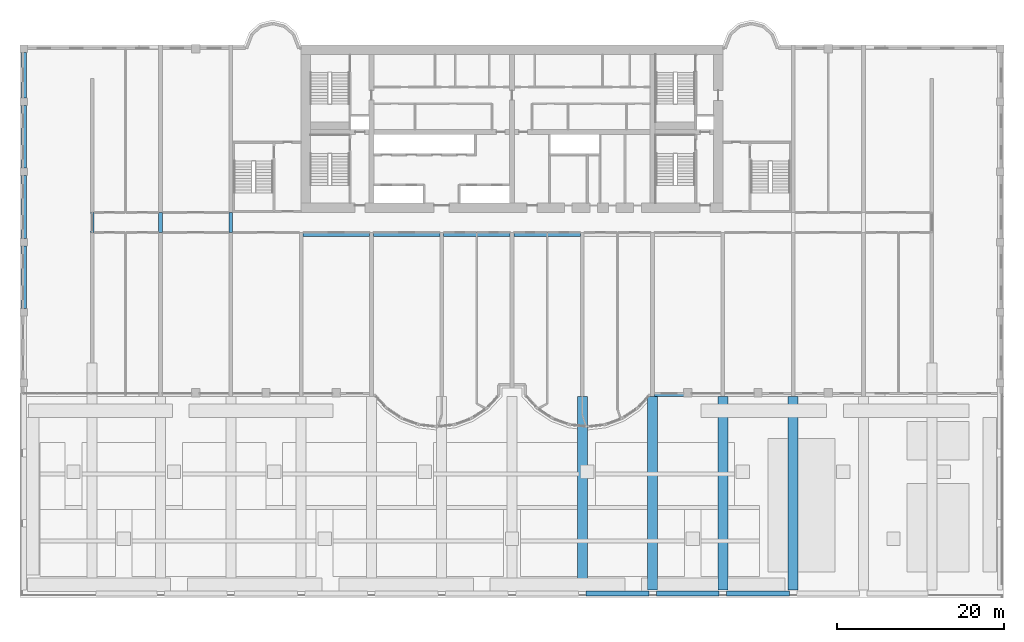
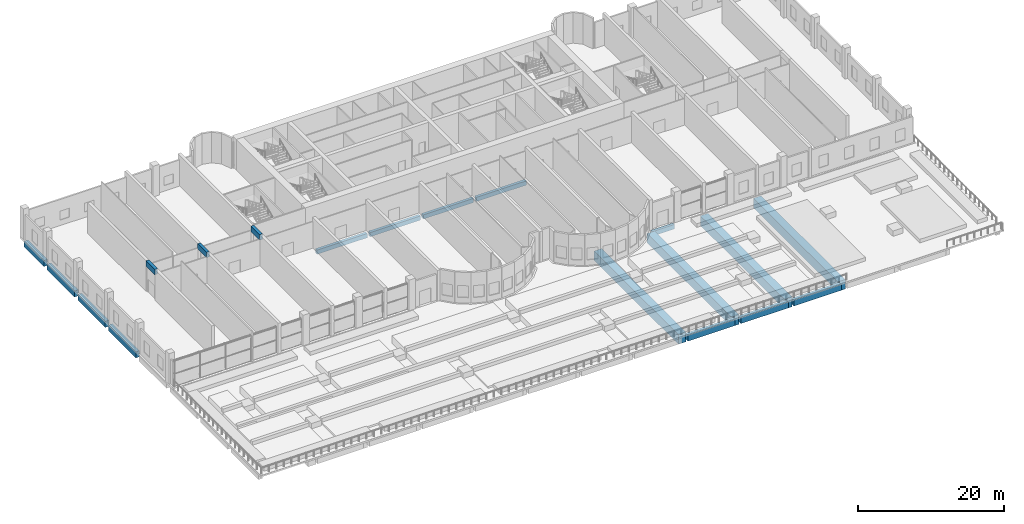
# One storey, part 5 of 20: 19 beams.
"""IFC4 building model written with IfcOpenShell, lengths in metres."""

from ifc_helpers import new_model, si_unit, direction, frame, origin, origin_2d, place, context, subcontext, project, spatial, rectangle, extrude, source, transform, mapped, material, material_profile, profile_set, type_object, element, save


model = new_model("IFC4")

# Units and contexts
model_context = context("Model", 3, precision=1e-05, world=origin(), true_north=direction((0.0, 1.0)))
body_context = subcontext(model_context, "Body", "Model", "MODEL_VIEW")
ifc_project = project(units=[si_unit("LENGTHUNIT", "METRE"), si_unit("AREAUNIT", "SQUARE_METRE"), si_unit("VOLUMEUNIT", "CUBIC_METRE"), si_unit("PLANEANGLEUNIT", "RADIAN"), si_unit("MASSUNIT", "GRAM", prefix="KILO")], contexts=[model_context])

# Site, building, storey
site_placement = place(None, origin())
site = spatial("IfcSite", under=ifc_project, at=site_placement, CompositionType="ELEMENT")
building_placement = place(site_placement, origin())
building = spatial("IfcBuilding", under=site, at=building_placement, Name="Vanashikhar Sky Hotel", CompositionType="ELEMENT")
storey_placement = place(building_placement, frame((0.0, 0.0, 6.0)))
storey = spatial("IfcBuildingStorey", under=building, at=storey_placement, Name="L01", CompositionType="ELEMENT", Elevation=6.0)

# Beams
ifc_material = material(Name="Concrete M50", Category="concrete")
ifc_material_profile_1 = material_profile(ifc_material, rectangle(XDim=0.449951171875, YDim=0.89990234375, at=origin_2d()))
ifc_profile_set_1 = profile_set([ifc_material_profile_1], Name="RC 450x900 beam Concrete M50")
beam_type_1 = type_object("IfcBeamType", Name="RC 450x900 beam Concrete M50", PredefinedType="LINTEL", material=ifc_profile_set_1)
shared_shape_1 = source(origin(), body_context, "Body", "SweptSolid", [
    extrude(rectangle(XDim=0.449951171875, YDim=0.89990234375, at=origin_2d()), origin(), (0.0, 0.0, 1.0), 2.39990234375),
])
for number, where, z_axis, x_axis, name in (
    (1, (0.22509765625, 19.60009765625, 4.669921875), (0.0, 1.0, 0.0), (-1.0, 0.0, 0.0), "LB-L01-XW01"),
    (2, (8.39990234375, 19.60009765625, 4.669921875), (0.0, 1.0, 0.0), (-1.0, 0.0, 0.0), "LB-L01-XW02"),
    (3, (16.800048828125, 19.60009765625, 4.669921875), (0.0, 1.0, 0.0), (-1.0, 0.0, 0.0), "LB-L01-XW03"),
):
    element("IfcBeam", number, at=place(storey_placement, frame(where, z_axis=z_axis, x_axis=x_axis)), inside=storey, type_object=beam_type_1, Name=name, PredefinedType="LINTEL", context=body_context, shape_type="MappedRepresentation", body=[
        mapped(shared_shape_1, transform((0.0, 0.0, 0.0), scale=1.0)),
    ])
ifc_material_profile_2 = material_profile(ifc_material, rectangle(XDim=0.449951171875, YDim=0.75, at=origin_2d()))
ifc_profile_set_2 = profile_set([ifc_material_profile_2], Name="RC 450x750 beam Concrete M50")
beam_type_2 = type_object("IfcBeamType", Name="RC 450x750 beam Concrete M50", PredefinedType="SPANDREL", material=ifc_profile_set_2)
shared_shape_2 = source(origin(), body_context, "Body", "SweptSolid", [
    extrude(rectangle(XDim=0.449951171875, YDim=0.75, at=origin_2d()), origin(), (0.0, 0.0, 1.0), 3.52490234375),
])
beam_1_placement = place(storey_placement, frame((67.425048828125, 0.22509765625, -0.655029296875), z_axis=(1.0, 0.0, 0.0), x_axis=(0.0, 1.0, 0.0)))
element("IfcBeam", 4, at=beam_1_placement, inside=storey, type_object=beam_type_2, Name="EB-L01-F08", PredefinedType="SPANDREL", context=body_context, shape_type="MappedRepresentation", body=[
    mapped(shared_shape_2, transform((0.0, 0.0, 0.0), scale=1.0)),
])
ifc_material_profile_3 = material_profile(ifc_material, rectangle(XDim=0.449951171875, YDim=0.699951171875, at=origin_2d()))
ifc_profile_set_3 = profile_set([ifc_material_profile_3], Name="RC 450x700 beam Concrete M50")
beam_type_3 = type_object("IfcBeamType", Name="RC 450x700 beam Concrete M50", PredefinedType="BEAM", material=ifc_profile_set_3)
shared_shape_3 = source(origin(), body_context, "Body", "SweptSolid", [
    extrude(rectangle(XDim=0.449951171875, YDim=0.699951171875, at=origin_2d()), origin(), (0.0, 0.0, 1.0), 7.949951171875),
])
for number, where, z_axis, x_axis, name in (
    (5, (25.425048828125, 19.375, -0.6298828125), (1.0, 0.0, 0.0), (0.0, 1.0, 0.0), "CB-L01-01"),
    (6, (33.824951171875, 19.375, -0.6298828125), (1.0, 0.0, 0.0), (0.0, 1.0, 0.0), "CB-L01-02"),
    (7, (42.22509765625, 19.375, -0.6298828125), (1.0, 0.0, 0.0), (0.0, 1.0, 0.0), "CB-L01-03"),
    (8, (50.625, 19.375, -0.6298828125), (1.0, 0.0, 0.0), (0.0, 1.0, 0.0), "CB-L01-04"),
):
    element("IfcBeam", number, at=place(storey_placement, frame(where, z_axis=z_axis, x_axis=x_axis)), inside=storey, type_object=beam_type_3, Name=name, PredefinedType="BEAM", context=body_context, shape_type="MappedRepresentation", body=[
        mapped(shared_shape_3, transform((0.0, 0.0, 0.0), scale=1.0)),
    ])
ifc_material_profile_4 = material_profile(ifc_material, rectangle(XDim=0.60009765625, YDim=1.0, at=origin_2d()))
ifc_profile_set_4 = profile_set([ifc_material_profile_4], Name="RC 600x1000 beam Concrete M50")
beam_type_4 = type_object("IfcBeamType", Name="RC 600x1000 beam Concrete M50", PredefinedType="SPANDREL", material=ifc_profile_set_4)
shared_shape_4 = source(origin(), body_context, "Body", "SweptSolid", [
    extrude(rectangle(XDim=0.60009765625, YDim=1.0, at=origin_2d()), origin(), (0.0, 0.0, 1.0), 7.5),
])
for number, where, z_axis, x_axis, name in (
    (9, (-7.949951171875, 10.5, -0.780029296875), (0.0, 1.0, 0.0), (-1.0, 0.0, 0.0), "EB-L01-A105"),
    (10, (-7.949951171875, 18.89990234375, -0.780029296875), (0.0, 1.0, 0.0), (-1.0, 0.0, 0.0), "EB-L01-A106"),
    (11, (-7.949951171875, 27.300048828125, -0.780029296875), (0.0, 1.0, 0.0), (-1.0, 0.0, 0.0), "EB-L01-A107"),
    (12, (59.25, -23.550048828125, -0.780029296875), (1.0, 0.0, 0.0), (0.0, 1.0, 0.0), "EB-L01-D08"),
    (13, (67.64990234375, -23.550048828125, -0.780029296875), (1.0, 0.0, 0.0), (0.0, 1.0, 0.0), "EB-L01-D09"),
    (14, (76.050048828125, -23.550048828125, -0.780029296875), (1.0, 0.0, 0.0), (0.0, 1.0, 0.0), "EB-L01-D10"),
):
    element("IfcBeam", number, at=place(storey_placement, frame(where, z_axis=z_axis, x_axis=x_axis)), inside=storey, type_object=beam_type_4, Name=name, PredefinedType="SPANDREL", context=body_context, shape_type="MappedRepresentation", body=[
        mapped(shared_shape_4, transform((0.0, 0.0, 0.0), scale=1.0)),
    ])
shared_shape_5 = source(origin(), body_context, "Body", "SweptSolid", [
    extrude(rectangle(XDim=0.60009765625, YDim=1.0, at=origin_2d()), origin(), (0.0, 0.0, 1.0), 5.400146484375),
])
beam_2_placement = place(storey_placement, frame((-7.949951171875, 35.699951171875, -0.780029296875), z_axis=(0.0, 1.0, 0.0), x_axis=(-1.0, 0.0, 0.0)))
element("IfcBeam", 15, at=beam_2_placement, inside=storey, type_object=beam_type_4, Name="EB-L01-A108", PredefinedType="SPANDREL", context=body_context, shape_type="MappedRepresentation", body=[
    mapped(shared_shape_5, transform((0.0, 0.0, 0.0), scale=1.0)),
])
ifc_material_profile_5 = material_profile(ifc_material, rectangle(XDim=1.199951171875, YDim=1.60009765625, at=origin_2d()))
ifc_profile_set_5 = profile_set([ifc_material_profile_5], Name="RC 1200x1600 beam Concrete M50")
beam_type_5 = type_object("IfcBeamType", Name="RC 1200x1600 beam Concrete M50", PredefinedType="BEAM", material=ifc_profile_set_5)
shared_shape_6 = source(origin(), body_context, "Body", "SweptSolid", [
    extrude(rectangle(XDim=1.199951171875, YDim=1.60009765625, at=origin_2d()), origin(), (0.0, 0.0, 1.0), 23.10009765625),
])
for number, where, z_axis, x_axis, name in (
    (16, (58.800048828125, -23.10009765625, -1.080078125), (0.0, 1.0, 0.0), (-1.0, 0.0, 0.0), "TG-L01-08"),
    (17, (67.199951171875, -23.10009765625, -1.080078125), (0.0, 1.0, 0.0), (-1.0, 0.0, 0.0), "TG-L01-09"),
    (18, (75.60009765625, -23.10009765625, -1.080078125), (0.0, 1.0, 0.0), (-1.0, 0.0, 0.0), "TG-L01-10"),
    (19, (84.0, -23.10009765625, -1.080078125), (0.0, 1.0, 0.0), (-1.0, 0.0, 0.0), "TG-L01-11"),
):
    element("IfcBeam", number, at=place(storey_placement, frame(where, z_axis=z_axis, x_axis=x_axis)), inside=storey, type_object=beam_type_5, Name=name, PredefinedType="BEAM", context=body_context, shape_type="MappedRepresentation", body=[
        mapped(shared_shape_6, transform((0.0, 0.0, 0.0), scale=1.0)),
    ])

save(model, "model.ifc")
